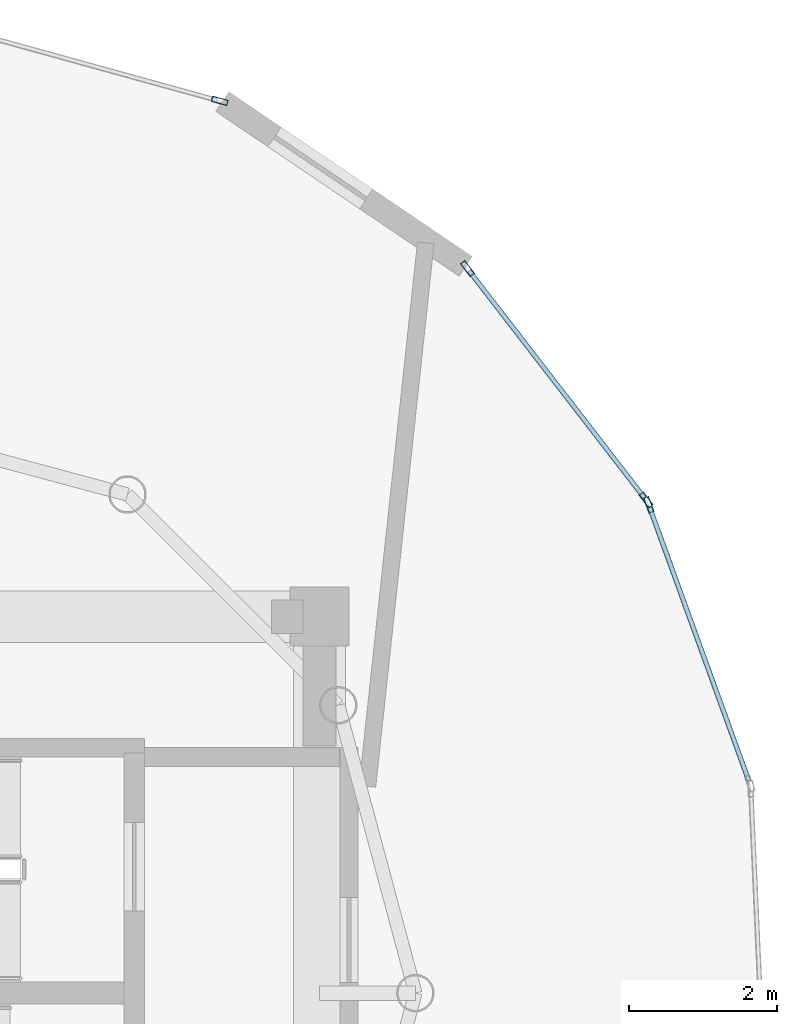
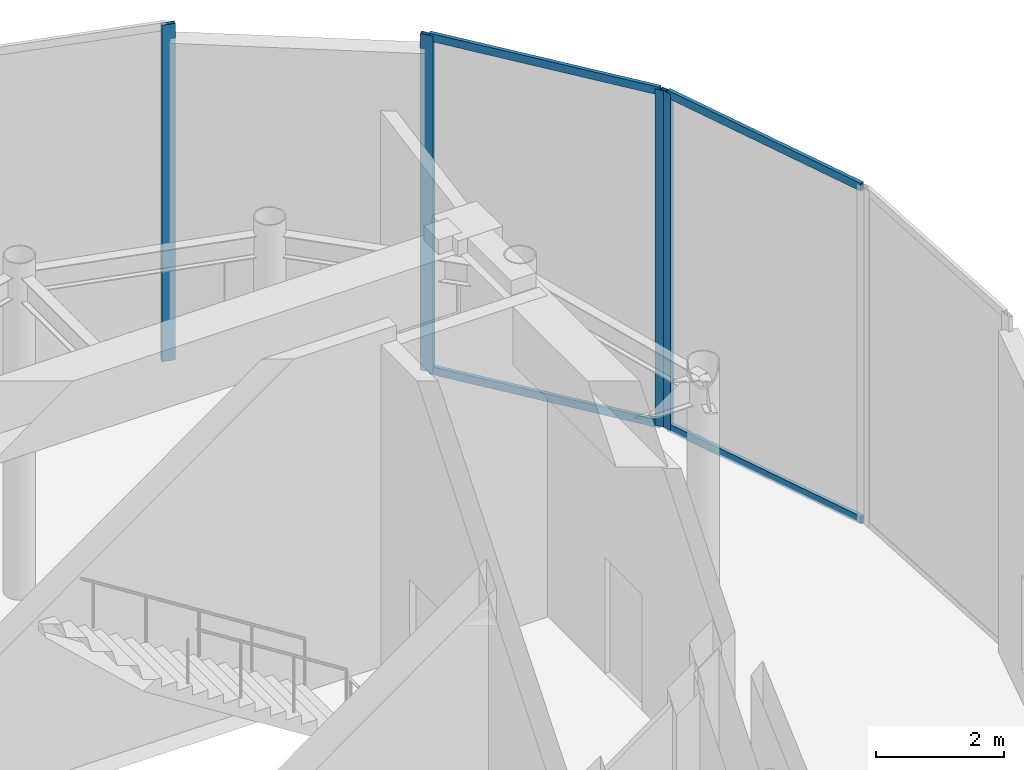
# One storey, part 7 of 10: 8 members, 3 elements without a shape of their own.
"""IFC4 building model written with IfcOpenShell, lengths in metres."""

from ifc_helpers import new_model, si_unit, direction, frame, origin, origin_2d, place, context, subcontext, project, spatial, hollow_rectangle, extrude, source, transform, mapped, material, layer, layer_set, material_profile, profile_set, type_object, element, aggregate, save


model = new_model("IFC4")

# Units and contexts
model_context = context("Model", 3, precision=1e-05, world=origin(), true_north=direction((0.0, 1.0)))
body_context = subcontext(model_context, "Body", "Model", "MODEL_VIEW")
ifc_project = project(units=[si_unit("LENGTHUNIT", "METRE"), si_unit("AREAUNIT", "SQUARE_METRE"), si_unit("VOLUMEUNIT", "CUBIC_METRE"), si_unit("PLANEANGLEUNIT", "RADIAN"), si_unit("MASSUNIT", "GRAM", prefix="KILO")], contexts=[model_context])

# Site, building, storey
site_placement = place(None, origin())
site = spatial("IfcSite", under=ifc_project, at=site_placement, CompositionType="ELEMENT")
building_placement = place(site_placement, origin())
building = spatial("IfcBuilding", under=site, at=building_placement, Name="Solvirekh Grand Hotel", CompositionType="ELEMENT")
storey_placement = place(building_placement, frame((0.0, 0.0, 308.199951171875)))
storey = spatial("IfcBuildingStorey", under=building, at=storey_placement, Name="L79", CompositionType="ELEMENT", Elevation=308.199951171875)

# Curtain wall, member
ifc_material = material(Name="Anodized Bronze Aluminium 6063-T6", Category="aluminium")
ifc_layer = layer(ifc_material, 0.219970703125)
ifc_layer_set = layer_set([ifc_layer], Name="Anodized Bronze Aluminium 6063-T6")
curtain_wall_type = type_object("IfcCurtainWallType", Name="CW_Sys6_CrownFacetedPointCW", PredefinedType="NOTDEFINED", material=ifc_layer_set)
curtain_wall_1_placement = place(storey_placement, origin())
curtain_wall_1 = element("IfcCurtainWall", 1, at=curtain_wall_1_placement, inside=storey, type_object=curtain_wall_type, Name="L79 unitised bronze-glass curtain wall CW-L79-C07", PredefinedType="NOTDEFINED")
ifc_material_profile_1 = material_profile(ifc_material, hollow_rectangle(XDim=0.074951171875, YDim=0.219970703125, WallThickness=0.006103515625, at=origin_2d()), Name="ALU RHS 220X75X6")
ifc_profile_set_1 = profile_set([ifc_material_profile_1], Name="Anodized Bronze Aluminium 6063-T6")
member_type_1 = type_object("IfcMemberType", Name="CWMullion_Sys6", PredefinedType="MULLION", material=ifc_profile_set_1)
shared_shape_1 = source(origin(), body_context, "Body", "SweptSolid", [
    extrude(hollow_rectangle(XDim=0.074951171875, YDim=0.219970703125, WallThickness=0.006103515625, at=origin_2d()), origin(), (0.0, 0.0, 1.0), 6.400146484375),
])
member_1_placement = place(storey_placement, frame((10.961669921875, 6.61572265625, 0.0), z_axis=(0.0, 0.0, 1.0), x_axis=(-0.940099847814, -0.340899216983, 0.0)))
member_1 = element("IfcMember", 2, at=member_1_placement, type_object=member_type_1, Name="U06 mullion 2", PredefinedType="MULLION", context=body_context, shape_type="MappedRepresentation", body=[
    mapped(shared_shape_1, transform((0.0, 0.0, 0.0), x_axis=(1.0, 0.0, 0.0), y_axis=(0.0, 1.0, 0.0), z_axis=(0.0, 0.0, 1.0), scale=1.0)),
])

# Curtain wall, members
curtain_wall_2_placement = place(storey_placement, origin())
curtain_wall_2 = element("IfcCurtainWall", 3, at=curtain_wall_2_placement, inside=storey, type_object=curtain_wall_type, Name="L79 unitised bronze-glass curtain wall CW-L79-C08", PredefinedType="NOTDEFINED")
member_2_placement = place(storey_placement, frame((10.926025390625, 6.6806640625, 0.0), z_axis=(0.0, 0.0, 1.0), x_axis=(-0.791508325312, -0.611158384514, 0.0)))
member_2 = element("IfcMember", 4, at=member_2_placement, type_object=member_type_1, Name="U06 mullion 1", PredefinedType="MULLION", context=body_context, shape_type="MappedRepresentation", body=[
    mapped(shared_shape_1, transform((0.0, 0.0, 0.0), x_axis=(1.0, 0.0, 0.0), y_axis=(0.0, 1.0, 0.0), z_axis=(0.0, 0.0, 1.0), scale=1.0)),
])
member_3_placement = place(storey_placement, frame((8.5048828125, 9.81640625, 0.0), z_axis=(0.0, 0.0, 1.0), x_axis=(-0.791508325312, -0.611158384514, 0.0)))
member_3 = element("IfcMember", 5, at=member_3_placement, type_object=member_type_1, Name="U06 mullion 2", PredefinedType="MULLION", context=body_context, shape_type="MappedRepresentation", body=[
    mapped(shared_shape_1, transform((0.0, 0.0, 0.0), x_axis=(1.0, 0.0, 0.0), y_axis=(0.0, 1.0, 0.0), z_axis=(0.0, 0.0, 1.0), scale=1.0)),
])

# Curtain wall, member
curtain_wall_3_placement = place(storey_placement, origin())
curtain_wall_3 = element("IfcCurtainWall", 6, at=curtain_wall_3_placement, inside=storey, type_object=curtain_wall_type, Name="L79 unitised bronze-glass curtain wall CW-L79-C10", PredefinedType="NOTDEFINED")
member_4_placement = place(storey_placement, frame((5.14892578125, 12.087890625, 0.0), z_axis=(0.0, 0.0, 1.0), x_axis=(-0.266010178933, -0.963970219822, 0.0)))
member_4 = element("IfcMember", 7, at=member_4_placement, type_object=member_type_1, Name="U06 mullion 1", PredefinedType="MULLION", context=body_context, shape_type="MappedRepresentation", body=[
    mapped(shared_shape_1, transform((0.0, 0.0, 0.0), x_axis=(1.0, 0.0, 0.0), y_axis=(0.0, 1.0, 0.0), z_axis=(0.0, 0.0, 1.0), scale=1.0)),
])
aggregate(curtain_wall_3, [member_4])

# Member
ifc_material_profile_2 = material_profile(ifc_material, hollow_rectangle(XDim=0.06494140625, YDim=0.14990234375, WallThickness=0.0048828125, at=origin_2d()), Name="ALU RHS 150X65X5")
ifc_profile_set_2 = profile_set([ifc_material_profile_2], Name="Anodized Bronze Aluminium 6063-T6")
member_type_2 = type_object("IfcMemberType", Name="CWTransom_Sys6", PredefinedType="USERDEFINED", material=ifc_profile_set_2)
shared_shape_2 = source(origin(), body_context, "Body", "SweptSolid", [
    extrude(hollow_rectangle(XDim=0.06494140625, YDim=0.14990234375, WallThickness=0.0048828125, at=origin_2d()), origin(), (0.0, 0.0, 1.0), 3.942138671875),
])
member_5_placement = place(storey_placement, frame((12.318359375, 2.87451171875, 0.032470703125), z_axis=(-0.340867745216, 0.940111259517, 0.0), x_axis=(-0.940111259517, -0.340867745216, 0.0)))
member_5 = element("IfcMember", 8, at=member_5_placement, type_object=member_type_2, Name="U06 transom 1.1", ObjectType="TRANSOM", PredefinedType="USERDEFINED", context=body_context, shape_type="MappedRepresentation", body=[
    mapped(shared_shape_2, transform((0.0, 0.0, 0.0), x_axis=(1.0, 0.0, 0.0), y_axis=(0.0, 1.0, 0.0), z_axis=(0.0, 0.0, 1.0), scale=1.0)),
])

member_6_placement = place(storey_placement, frame((12.318359375, 2.87451171875, 6.367431640625), z_axis=(-0.340867745216, 0.940111259517, 0.0), x_axis=(-0.940111259517, -0.340867745216, 0.0)))
member_6 = element("IfcMember", 9, at=member_6_placement, type_object=member_type_2, Name="U06 transom 1.2", ObjectType="TRANSOM", PredefinedType="USERDEFINED", context=body_context, shape_type="MappedRepresentation", body=[
    mapped(shared_shape_2, transform((0.0, 0.0, 0.0), x_axis=(1.0, 0.0, 0.0), y_axis=(0.0, 1.0, 0.0), z_axis=(0.0, 0.0, 1.0), scale=1.0)),
])

aggregate(curtain_wall_1, [member_1, member_5, member_6])

shared_shape_3 = source(origin(), body_context, "Body", "SweptSolid", [
    extrude(hollow_rectangle(XDim=0.06494140625, YDim=0.14990234375, WallThickness=0.0048828125, at=origin_2d()), origin(), (0.0, 0.0, 1.0), 3.886474609375),
])
member_7_placement = place(storey_placement, frame((10.903076171875, 6.71044921875, 0.032470703125), z_axis=(-0.611157830227, 0.791508753301, 0.0), x_axis=(-0.791508753301, -0.611157830227, 0.0)))
member_7 = element("IfcMember", 10, at=member_7_placement, type_object=member_type_2, Name="U06 transom 1.1", ObjectType="TRANSOM", PredefinedType="USERDEFINED", context=body_context, shape_type="MappedRepresentation", body=[
    mapped(shared_shape_3, transform((0.0, 0.0, 0.0), x_axis=(1.0, 0.0, 0.0), y_axis=(0.0, 1.0, 0.0), z_axis=(0.0, 0.0, 1.0), scale=1.0)),
])

member_8_placement = place(storey_placement, frame((10.903076171875, 6.71044921875, 6.367431640625), z_axis=(-0.611157830227, 0.791508753301, 0.0), x_axis=(-0.791508753301, -0.611157830227, 0.0)))
member_8 = element("IfcMember", 11, at=member_8_placement, type_object=member_type_2, Name="U06 transom 1.2", ObjectType="TRANSOM", PredefinedType="USERDEFINED", context=body_context, shape_type="MappedRepresentation", body=[
    mapped(shared_shape_3, transform((0.0, 0.0, 0.0), x_axis=(1.0, 0.0, 0.0), y_axis=(0.0, 1.0, 0.0), z_axis=(0.0, 0.0, 1.0), scale=1.0)),
])

aggregate(curtain_wall_2, [member_2, member_3, member_7, member_8])

save(model, "model.ifc")
